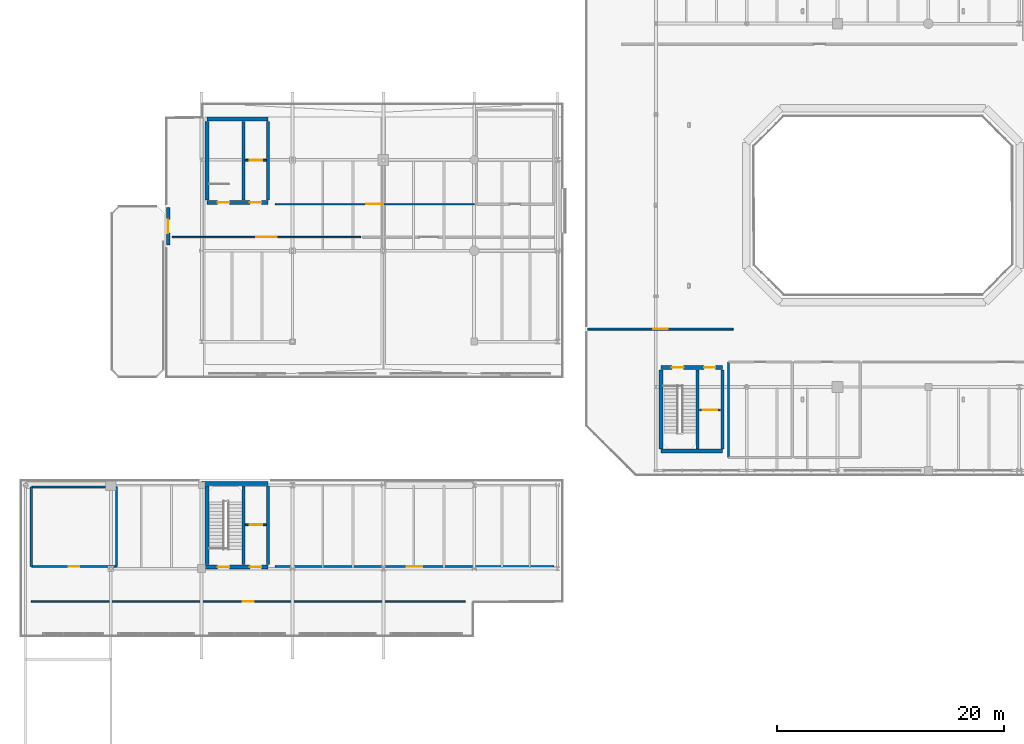
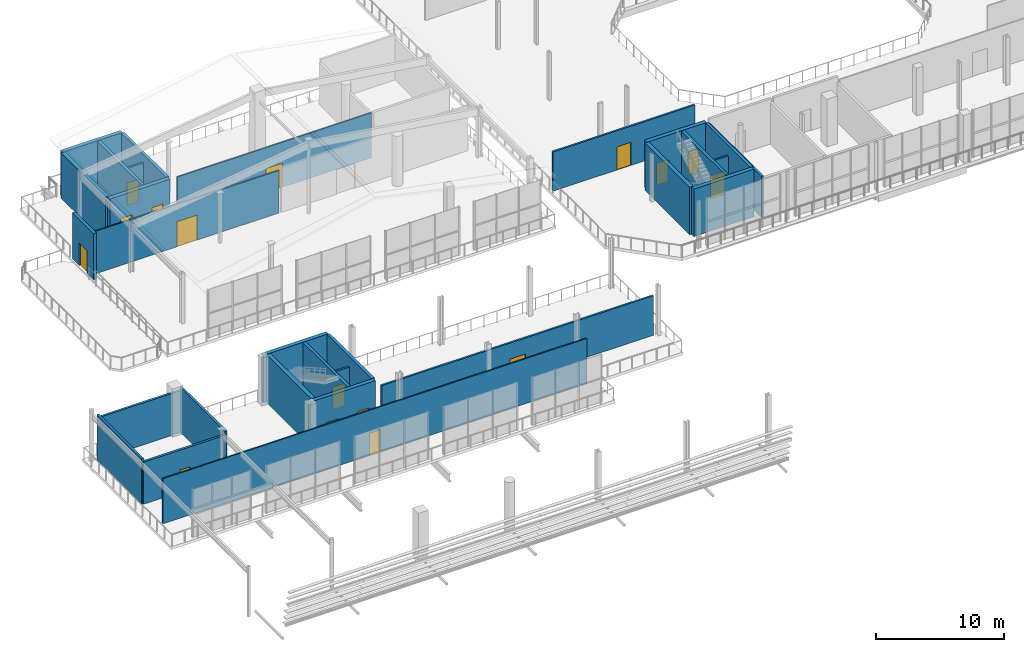
# One storey, part 48 of 70: 29 walls, 16 doors, 16 openings.
"""IFC4 building model written with IfcOpenShell, lengths in metres."""

from ifc_helpers import new_model, si_unit, direction, frame, frame_2d, origin, place, context, subcontext, project, spatial, rectangle, extrude, material, layer, layer_set, type_object, element, fill, save


model = new_model("IFC4")

# Units and contexts
model_context = context("Model", 3, precision=1e-05, world=origin(), true_north=direction((0.0, 1.0)))
body_context = subcontext(model_context, "Body", "Model", "MODEL_VIEW")
ifc_project = project(units=[si_unit("LENGTHUNIT", "METRE"), si_unit("AREAUNIT", "SQUARE_METRE"), si_unit("VOLUMEUNIT", "CUBIC_METRE"), si_unit("PLANEANGLEUNIT", "RADIAN"), si_unit("MASSUNIT", "GRAM", prefix="KILO")], contexts=[model_context])

# Site, building, storey
site_placement = place(None, origin())
site = spatial("IfcSite", under=ifc_project, at=site_placement, CompositionType="ELEMENT")
building_placement = place(site_placement, origin())
building = spatial("IfcBuilding", under=site, at=building_placement, Name="Brisemont Oceanarium", CompositionType="ELEMENT")
storey_placement = place(building_placement, frame((0.0, 0.0, 10.199951171875)))
storey = spatial("IfcBuildingStorey", under=building, at=storey_placement, Name="L02", CompositionType="ELEMENT", Elevation=10.199951171875)

# Wall, opening, door
ifc_material_1 = material(Name="Beaux-Arts Limestone Cladding Precast Concrete C40/50", Category="masonry")
ifc_layer_1 = layer(ifc_material_1, 0.280029296875)
ifc_layer_set_1 = layer_set([ifc_layer_1], Name="Beaux-Arts Limestone Cladding Precast Concrete C40/50")
wall_type_1 = type_object("IfcWallType", Name="EW-LIME-280", PredefinedType="STANDARD", material=ifc_layer_set_1)
wall_1_placement = place(storey_placement, frame((21.050048828125, 52.5, 0.0), z_axis=(0.0, 0.0, 1.0), x_axis=(0.0, 1.0, 0.0)))
wall_1 = element("IfcWall", 1, at=wall_1_placement, inside=storey, type_object=wall_type_1, Name="Beaux-Arts exterior wall EW-V5WTER-L02-1", PredefinedType="STANDARD", context=body_context, shape_type="SweptSolid", body=[
    extrude(rectangle(XDim=3.300048828125, YDim=0.280029296875, at=frame_2d((1.64990234375, 0.0))), origin(), (0.0, 0.0, 1.0), 4.400146484375),
])
opening_1_placement = place(wall_1_placement, frame((1.050048828125, 0.0, 0.0)))
opening_1 = element("IfcOpeningElement", 2, at=opening_1_placement, cuts=wall_1, Name="Opening ED-02", PredefinedType="OPENING", context=body_context, shape_type="SweptSolid", body=[
    extrude(rectangle(XDim=1.199951171875, YDim=2.14990234375, at=frame_2d((0.60009765625, 1.074951171875))), frame((0.0, 0.14990234375, 0.0), z_axis=(0.0, -1.0, 0.0), x_axis=(1.0, 0.0, 0.0)), (0.0, 0.0, 1.0), 0.300048828125),
])
ifc_material_2 = material(Name="Anodized Extruded Aluminum 6063-T6", Category="aluminium")
door_type_1 = type_object("IfcDoorType", Name="DR-TER-1200X2150", OperationType="NOTDEFINED", PredefinedType="DOOR", material=ifc_material_2)
door_1_placement = place(opening_1_placement, origin())
door_1 = element("IfcDoor", 3, at=door_1_placement, inside=storey, type_object=door_type_1, Name="ED-02 exterior entrance door 4", OperationType="SINGLE_SWING_RIGHT", OverallHeight=2.14990234375, OverallWidth=1.199951171875, PredefinedType="DOOR", context=body_context, shape_type="SweptSolid", body=[
    extrude(rectangle(XDim=1.199951171875, YDim=2.14990234375, at=frame_2d((0.60009765625, 1.074951171875))), frame((0.0, 0.02490234375, 0.0), z_axis=(0.0, -1.0, 0.0), x_axis=(1.0, 0.0, 0.0)), (0.0, 0.0, 1.0), 0.050048828125),
])
fill(opening_1, door_1)

ifc_material_3 = material(Name="Moisture-Resistant Gypsum Steel-Stud Partition", Category="steel")
ifc_layer_2 = layer(ifc_material_3, 0.159912109375)
ifc_layer_set_2 = layer_set([ifc_layer_2], Name="Moisture-Resistant Gypsum Steel-Stud Partition")
wall_type_2 = type_object("IfcWallType", Name="IW-FB-160", PredefinedType="PARTITIONING", material=ifc_layer_set_2)
wall_2_placement = place(storey_placement, frame((67.85009765625, 37.97998046875, 0.0), z_axis=(0.0, 0.0, 1.0), x_axis=(1.0, 0.0, 0.0)))
wall_2 = element("IfcWall", 4, at=wall_2_placement, inside=storey, type_object=wall_type_2, Name="Core C1 L02 lift hoistway front wall", PredefinedType="PARTITIONING", context=body_context, shape_type="SweptSolid", body=[
    extrude(rectangle(XDim=1.83984375, YDim=0.159912109375, at=frame_2d((0.919921875, 0.0))), origin(), (0.0, 0.0, 1.0), 3.60009765625),
])
opening_2_placement = place(wall_2_placement, frame((0.27001953125, 0.0, 0.0)))
opening_2 = element("IfcOpeningElement", 5, at=opening_2_placement, cuts=wall_2, Name="Opening LD-02", PredefinedType="OPENING", context=body_context, shape_type="SweptSolid", body=[
    extrude(rectangle(XDim=1.300048828125, YDim=2.199951171875, at=frame_2d((0.64990234375, 1.10009765625))), frame((0.0, 0.08984375, 0.0), z_axis=(0.0, -1.0, 0.0), x_axis=(1.0, 0.0, 0.0)), (0.0, 0.0, 1.0), 0.179931640625),
])
ifc_material_4 = material(Name="Duplex Stainless Steel EN 1.4462", Category="steel")
door_type_2 = type_object("IfcDoorType", Name="DR-LIFT-1300X2200", OperationType="NOTDEFINED", PredefinedType="DOOR", material=ifc_material_4)
door_2_placement = place(opening_2_placement, origin())
door_2 = element("IfcDoor", 6, at=door_2_placement, inside=storey, type_object=door_type_2, Name="Lift landing door LF-01 L02", OperationType="SLIDING_TO_LEFT", OverallHeight=2.199951171875, OverallWidth=1.300048828125, PredefinedType="DOOR", context=body_context, shape_type="SweptSolid", body=[
    extrude(rectangle(XDim=1.300048828125, YDim=2.199951171875, at=frame_2d((0.64990234375, 1.10009765625))), frame((0.0, 0.02490234375, 0.0), z_axis=(0.0, -1.0, 0.0), x_axis=(1.0, 0.0, 0.0)), (0.0, 0.0, 1.0), 0.050048828125),
])
fill(opening_2, door_2)

wall_3_placement = place(storey_placement, frame((27.85009765625, 27.8701171875, 0.0), z_axis=(0.0, 0.0, 1.0), x_axis=(1.0, 0.0, 0.0)))
wall_3 = element("IfcWall", 7, at=wall_3_placement, inside=storey, type_object=wall_type_2, Name="Core C3 L02 lift hoistway front wall", PredefinedType="PARTITIONING", context=body_context, shape_type="SweptSolid", body=[
    extrude(rectangle(XDim=1.83984375, YDim=0.159912109375, at=frame_2d((0.919921875, 0.0))), origin(), (0.0, 0.0, 1.0), 3.60009765625),
])
opening_3_placement = place(wall_3_placement, frame((0.3701171875, 0.0, 0.0)))
opening_3 = element("IfcOpeningElement", 8, at=opening_3_placement, cuts=wall_3, Name="Opening LD-01", PredefinedType="OPENING", context=body_context, shape_type="SweptSolid", body=[
    extrude(rectangle(XDim=1.10009765625, YDim=2.14990234375, at=frame_2d((0.550048828125, 1.074951171875))), frame((0.0, 0.08984375, 0.0), z_axis=(0.0, -1.0, 0.0), x_axis=(1.0, 0.0, 0.0)), (0.0, 0.0, 1.0), 0.179931640625),
])
ifc_material_5 = material(Name="Duplex Stainless Steel EN 1.4462", Category="steel")
door_type_3 = type_object("IfcDoorType", Name="DR-LIFT-1100X2150", OperationType="NOTDEFINED", PredefinedType="DOOR", material=ifc_material_5)
door_3_placement = place(opening_3_placement, origin())
door_3 = element("IfcDoor", 9, at=door_3_placement, inside=storey, type_object=door_type_3, Name="Lift landing door LF-03 L02", OperationType="SLIDING_TO_LEFT", OverallHeight=2.14990234375, OverallWidth=1.10009765625, PredefinedType="DOOR", context=body_context, shape_type="SweptSolid", body=[
    extrude(rectangle(XDim=1.10009765625, YDim=2.14990234375, at=frame_2d((0.550048828125, 1.074951171875))), frame((0.0, 0.02490234375, 0.0), z_axis=(0.0, -1.0, 0.0), x_axis=(1.0, 0.0, 0.0)), (0.0, 0.0, 1.0), 0.050048828125),
])
fill(opening_3, door_3)

wall_4_placement = place(storey_placement, frame((27.85009765625, 59.969970703125, 0.0), z_axis=(0.0, 0.0, 1.0), x_axis=(1.0, 0.0, 0.0)))
wall_4 = element("IfcWall", 10, at=wall_4_placement, inside=storey, type_object=wall_type_2, Name="Core C5 L02 lift hoistway front wall", PredefinedType="PARTITIONING", context=body_context, shape_type="SweptSolid", body=[
    extrude(rectangle(XDim=1.83984375, YDim=0.159912109375, at=frame_2d((0.919921875, 0.0))), origin(), (0.0, 0.0, 1.0), 3.60009765625),
])
opening_4_placement = place(wall_4_placement, frame((0.3701171875, 0.0, 0.0)))
opening_4 = element("IfcOpeningElement", 11, at=opening_4_placement, cuts=wall_4, Name="Opening LD-01", PredefinedType="OPENING", context=body_context, shape_type="SweptSolid", body=[
    extrude(rectangle(XDim=1.10009765625, YDim=2.14990234375, at=frame_2d((0.550048828125, 1.074951171875))), frame((0.0, 0.08984375, 0.0), z_axis=(0.0, -1.0, 0.0), x_axis=(1.0, 0.0, 0.0)), (0.0, 0.0, 1.0), 0.179931640625),
])
door_4_placement = place(opening_4_placement, origin())
door_4 = element("IfcDoor", 12, at=door_4_placement, inside=storey, type_object=door_type_3, Name="Lift landing door LF-05 L02", OperationType="SLIDING_TO_LEFT", OverallHeight=2.14990234375, OverallWidth=1.10009765625, PredefinedType="DOOR", context=body_context, shape_type="SweptSolid", body=[
    extrude(rectangle(XDim=1.10009765625, YDim=2.14990234375, at=frame_2d((0.550048828125, 1.074951171875))), frame((0.0, 0.02490234375, 0.0), z_axis=(0.0, -1.0, 0.0), x_axis=(1.0, 0.0, 0.0)), (0.0, 0.0, 1.0), 0.050048828125),
])
fill(opening_4, door_4)

wall_5_placement = place(storey_placement, frame((58.0, 45.10009765625, 0.0), z_axis=(0.0, 0.0, 1.0), x_axis=(1.0, 0.0, 0.0)))
wall_5 = element("IfcWall", 13, at=wall_5_placement, inside=storey, type_object=wall_type_2, Name="Ocean Tank Dive Locker and Crane Operations corridor partition", PredefinedType="PARTITIONING", context=body_context, shape_type="SweptSolid", body=[
    extrude(rectangle(XDim=12.800048828125, YDim=0.159912109375, at=frame_2d((6.39990234375, 0.0))), origin(), (0.0, 0.0, 1.0), 3.738037109375),
])
opening_5_placement = place(wall_5_placement, frame((5.77490234375, 0.0, 0.0)))
opening_5 = element("IfcOpeningElement", 14, at=opening_5_placement, cuts=wall_5, Name="Opening LB-02", PredefinedType="OPENING", context=body_context, shape_type="SweptSolid", body=[
    extrude(rectangle(XDim=1.25, YDim=2.199951171875, at=frame_2d((0.625, 1.10009765625))), frame((0.0, 0.08984375, 0.0), z_axis=(0.0, -1.0, 0.0), x_axis=(1.0, 0.0, 0.0)), (0.0, 0.0, 1.0), 0.179931640625),
])
ifc_material_6 = material(Name="Duplex Stainless Steel EN 1.4462", Category="steel")
door_type_4 = type_object("IfcDoorType", Name="DR-LAB-1250X2200", OperationType="NOTDEFINED", PredefinedType="DOOR", material=ifc_material_6)
door_5_placement = place(opening_5_placement, origin())
door_5 = element("IfcDoor", 15, at=door_5_placement, inside=storey, type_object=door_type_4, Name="LB-02 door to Ocean Tank Dive Locker and Crane Operations", OperationType="SINGLE_SWING_LEFT", OverallHeight=2.199951171875, OverallWidth=1.25, PredefinedType="DOOR", context=body_context, shape_type="SweptSolid", body=[
    extrude(rectangle(XDim=1.25, YDim=2.199951171875, at=frame_2d((0.625, 1.10009765625))), frame((0.0, 0.02490234375, 0.0), z_axis=(0.0, -1.0, 0.0), x_axis=(1.0, 0.0, 0.0)), (0.0, 0.0, 1.0), 0.050048828125),
])
fill(opening_5, door_5)

wall_6_placement = place(storey_placement, frame((30.5, 24.199951171875, 0.0), z_axis=(0.0, 0.0, 1.0), x_axis=(1.0, 0.0, 0.0)))
wall_6 = element("IfcWall", 16, at=wall_6_placement, inside=storey, type_object=wall_type_2, Name="Climate Ocean Observatory Exhibit Gallery corridor partition", PredefinedType="PARTITIONING", context=body_context, shape_type="SweptSolid", body=[
    extrude(rectangle(XDim=24.5, YDim=0.159912109375, at=frame_2d((12.25, 0.0))), origin(), (0.0, 0.0, 1.0), 3.778076171875),
])
opening_6_placement = place(wall_6_placement, frame((11.56005859375, 0.0, 0.0)))
opening_6 = element("IfcOpeningElement", 17, at=opening_6_placement, cuts=wall_6, Name="Opening PD-01", PredefinedType="OPENING", context=body_context, shape_type="SweptSolid", body=[
    extrude(rectangle(XDim=1.3798828125, YDim=2.25, at=frame_2d((0.68994140625, 1.125))), frame((0.0, 0.08984375, 0.0), z_axis=(0.0, -1.0, 0.0), x_axis=(1.0, 0.0, 0.0)), (0.0, 0.0, 1.0), 0.179931640625),
])
ifc_material_7 = material(Name="Duplex Stainless Steel EN 1.4462", Category="steel")
door_type_5 = type_object("IfcDoorType", Name="DR-PLT-1380X2250", OperationType="NOTDEFINED", PredefinedType="DOOR", material=ifc_material_7)
door_6_placement = place(opening_6_placement, origin())
door_6 = element("IfcDoor", 18, at=door_6_placement, inside=storey, type_object=door_type_5, Name="PD-01 door to Climate Ocean Observatory Exhibit Gallery", OperationType="SINGLE_SWING_LEFT", OverallHeight=2.25, OverallWidth=1.3798828125, PredefinedType="DOOR", context=body_context, shape_type="SweptSolid", body=[
    extrude(rectangle(XDim=1.3798828125, YDim=2.25, at=frame_2d((0.68994140625, 1.125))), frame((0.0, 0.02490234375, 0.0), z_axis=(0.0, -1.0, 0.0), x_axis=(1.0, 0.0, 0.0)), (0.0, 0.0, 1.0), 0.050048828125),
])
fill(opening_6, door_6)

ifc_material_8 = material(Name="Moisture-Resistant Gypsum Steel-Stud Partition", Category="steel")
ifc_layer_3 = layer(ifc_material_8, 0.1201171875)
ifc_layer_set_3 = layer_set([ifc_layer_3], Name="Moisture-Resistant Gypsum Steel-Stud Partition")
wall_type_3 = type_object("IfcWallType", Name="IW-PART-120", PredefinedType="PARTITIONING", material=ifc_layer_set_3)
wall_7_placement = place(storey_placement, frame((9.0, 21.10009765625, 0.0), z_axis=(0.0, 0.0, 1.0), x_axis=(1.0, 0.0, 0.0)))
wall_7 = element("IfcWall", 19, at=wall_7_placement, inside=storey, type_object=wall_type_3, Name="Whale Song Bioacoustics Exhibit Gallery corridor partition", PredefinedType="PARTITIONING", context=body_context, shape_type="SweptSolid", body=[
    extrude(rectangle(XDim=38.199951171875, YDim=0.1201171875, at=frame_2d((19.10009765625, 0.0))), origin(), (0.0, 0.0, 1.0), 4.2900390625),
])
opening_7_placement = place(wall_7_placement, frame((18.6201171875, 0.0, 0.0)))
opening_7 = element("IfcOpeningElement", 20, at=opening_7_placement, cuts=wall_7, Name="Opening D-02", PredefinedType="OPENING", context=body_context, shape_type="SweptSolid", body=[
    extrude(rectangle(XDim=0.9599609375, YDim=2.10009765625, at=frame_2d((0.47998046875, 1.050048828125))), frame((0.0, 0.070068359375, 0.0), z_axis=(0.0, -1.0, 0.0), x_axis=(1.0, 0.0, 0.0)), (0.0, 0.0, 1.0), 0.14013671875),
])
ifc_material_9 = material(Name="FSC White Oak Solid-Core Fire Door")
door_type_6 = type_object("IfcDoorType", Name="DR-RM-960X2100", OperationType="NOTDEFINED", PredefinedType="DOOR", material=ifc_material_9)
door_7_placement = place(opening_7_placement, origin())
door_7 = element("IfcDoor", 21, at=door_7_placement, inside=storey, type_object=door_type_6, Name="D-02 door to Whale Song Bioacoustics Exhibit Gallery", OperationType="SINGLE_SWING_RIGHT", OverallHeight=2.10009765625, OverallWidth=0.9599609375, PredefinedType="DOOR", context=body_context, shape_type="SweptSolid", body=[
    extrude(rectangle(XDim=0.9599609375, YDim=2.10009765625, at=frame_2d((0.47998046875, 1.050048828125))), frame((0.0, 0.02490234375, 0.0), z_axis=(0.0, -1.0, 0.0), x_axis=(1.0, 0.0, 0.0)), (0.0, 0.0, 1.0), 0.050048828125),
])
fill(opening_7, door_7)

wall_8_placement = place(storey_placement, frame((21.39990234375, 53.199951171875, 0.0), z_axis=(0.0, 0.0, 1.0), x_axis=(1.0, 0.0, 0.0)))
wall_8 = element("IfcWall", 22, at=wall_8_placement, inside=storey, type_object=wall_type_3, Name="Hydrothermal Vent Exhibit Gallery corridor partition", PredefinedType="PARTITIONING", context=body_context, shape_type="SweptSolid", body=[
    extrude(rectangle(XDim=16.60009765625, YDim=0.1201171875, at=frame_2d((8.300048828125, 0.0))), origin(), (0.0, 0.0, 1.0), 4.047119140625),
])
opening_8_placement = place(wall_8_placement, frame((7.39990234375, 0.0, 0.0)))
opening_8 = element("IfcOpeningElement", 23, at=opening_8_placement, cuts=wall_8, Name="Opening GD-01", PredefinedType="OPENING", context=body_context, shape_type="SweptSolid", body=[
    extrude(rectangle(XDim=1.800048828125, YDim=2.39990234375, at=frame_2d((0.89990234375, 1.199951171875))), frame((0.0, 0.070068359375, 0.0), z_axis=(0.0, -1.0, 0.0), x_axis=(1.0, 0.0, 0.0)), (0.0, 0.0, 1.0), 0.14013671875),
])
ifc_material_10 = material(Name="Patinated Architectural Bronze C38500")
door_type_7 = type_object("IfcDoorType", Name="DR-GAL-1800X2400", OperationType="NOTDEFINED", PredefinedType="DOOR", material=ifc_material_10)
door_8_placement = place(opening_8_placement, origin())
door_8 = element("IfcDoor", 24, at=door_8_placement, inside=storey, type_object=door_type_7, Name="GD-01 door to Hydrothermal Vent Exhibit Gallery", OperationType="SINGLE_SWING_LEFT", OverallHeight=2.39990234375, OverallWidth=1.800048828125, PredefinedType="DOOR", context=body_context, shape_type="SweptSolid", body=[
    extrude(rectangle(XDim=1.800048828125, YDim=2.39990234375, at=frame_2d((0.89990234375, 1.199951171875))), frame((0.0, 0.02490234375, 0.0), z_axis=(0.0, -1.0, 0.0), x_axis=(1.0, 0.0, 0.0)), (0.0, 0.0, 1.0), 0.050048828125),
])
fill(opening_8, door_8)

wall_9_placement = place(storey_placement, frame((30.5, 56.10009765625, 0.0), z_axis=(0.0, 0.0, 1.0), x_axis=(1.0, 0.0, 0.0)))
wall_9 = element("IfcWall", 25, at=wall_9_placement, inside=storey, type_object=wall_type_3, Name="Bioluminescent Comb Jelly Exhibit Gallery corridor partition", PredefinedType="PARTITIONING", context=body_context, shape_type="SweptSolid", body=[
    extrude(rectangle(XDim=17.5, YDim=0.1201171875, at=frame_2d((8.75, 0.0))), origin(), (0.0, 0.0, 1.0), 4.2900390625),
])
opening_9_placement = place(wall_9_placement, frame((8.0, 0.0, 0.0)))
opening_9 = element("IfcOpeningElement", 26, at=opening_9_placement, cuts=wall_9, Name="Opening GD-03", PredefinedType="OPENING", context=body_context, shape_type="SweptSolid", body=[
    extrude(rectangle(XDim=1.5, YDim=2.300048828125, at=frame_2d((0.75, 1.14990234375))), frame((0.0, 0.070068359375, 0.0), z_axis=(0.0, -1.0, 0.0), x_axis=(1.0, 0.0, 0.0)), (0.0, 0.0, 1.0), 0.14013671875),
])
ifc_material_11 = material(Name="Patinated Architectural Bronze C38500")
door_type_8 = type_object("IfcDoorType", Name="DR-GAL-1500X2300", OperationType="NOTDEFINED", PredefinedType="DOOR", material=ifc_material_11)
door_9_placement = place(opening_9_placement, origin())
door_9 = element("IfcDoor", 27, at=door_9_placement, inside=storey, type_object=door_type_8, Name="GD-03 door to Bioluminescent Comb Jelly Exhibit Gallery", OperationType="SINGLE_SWING_LEFT", OverallHeight=2.300048828125, OverallWidth=1.5, PredefinedType="DOOR", context=body_context, shape_type="SweptSolid", body=[
    extrude(rectangle(XDim=1.5, YDim=2.300048828125, at=frame_2d((0.75, 1.14990234375))), frame((0.0, 0.02490234375, 0.0), z_axis=(0.0, -1.0, 0.0), x_axis=(1.0, 0.0, 0.0)), (0.0, 0.0, 1.0), 0.050048828125),
])
fill(opening_9, door_9)

# Wall
ifc_material_12 = material(Name="Cementitious Tile-Backer Plumbing Wall")
ifc_layer_4 = layer(ifc_material_12, 0.199951171875)
ifc_layer_set_4 = layer_set([ifc_layer_4], Name="Cementitious Tile-Backer Plumbing Wall")
wall_type_4 = type_object("IfcWallType", Name="IW-PLUMB-200", PredefinedType="PLUMBINGWALL", material=ifc_layer_set_4)
wall_10_placement = place(storey_placement, frame((70.39990234375, 33.800048828125, 0.0), z_axis=(0.0, 0.0, 1.0), x_axis=(0.0, 1.0, 0.0)))
element("IfcWall", 28, at=wall_10_placement, inside=storey, type_object=wall_type_4, Name="Accessible WC enclosure wall W", PredefinedType="PLUMBINGWALL", context=body_context, shape_type="SweptSolid", body=[
    extrude(rectangle(XDim=8.39990234375, YDim=0.199951171875, at=frame_2d((4.199951171875, 0.0))), origin(), (0.0, 0.0, 1.0), 3.89794921875),
])

# Wall, opening, door
wall_11_placement = place(storey_placement, frame((9.0, 24.199951171875, 0.0), z_axis=(0.0, 0.0, 1.0), x_axis=(1.0, 0.0, 0.0)))
wall_11 = element("IfcWall", 29, at=wall_11_placement, inside=storey, type_object=wall_type_4, Name="Accessible WC corridor partition", PredefinedType="PLUMBINGWALL", context=body_context, shape_type="SweptSolid", body=[
    extrude(rectangle(XDim=7.5, YDim=0.199951171875, at=frame_2d((3.75, 0.0))), origin(), (0.0, 0.0, 1.0), 4.007080078125),
])
opening_10_placement = place(wall_11_placement, frame((3.294921875, 0.0, 0.0)))
opening_10 = element("IfcOpeningElement", 30, at=opening_10_placement, cuts=wall_11, Name="Opening D-03", PredefinedType="OPENING", context=body_context, shape_type="SweptSolid", body=[
    extrude(rectangle(XDim=0.909912109375, YDim=2.10009765625, at=frame_2d((0.455078125, 1.050048828125))), frame((0.0, 0.10986328125, 0.0), z_axis=(0.0, -1.0, 0.0), x_axis=(1.0, 0.0, 0.0)), (0.0, 0.0, 1.0), 0.219970703125),
])
ifc_material_13 = material(Name="FSC White Oak Solid-Core Fire Door")
door_type_9 = type_object("IfcDoorType", Name="DR-WC-910X2100", OperationType="NOTDEFINED", PredefinedType="DOOR", material=ifc_material_13)
door_10_placement = place(opening_10_placement, origin())
door_10 = element("IfcDoor", 31, at=door_10_placement, inside=storey, type_object=door_type_9, Name="D-03 door to Accessible WC", OperationType="SINGLE_SWING_RIGHT", OverallHeight=2.10009765625, OverallWidth=0.909912109375, PredefinedType="DOOR", context=body_context, shape_type="SweptSolid", body=[
    extrude(rectangle(XDim=0.909912109375, YDim=2.10009765625, at=frame_2d((0.455078125, 1.050048828125))), frame((0.0, 0.02490234375, 0.0), z_axis=(0.0, -1.0, 0.0), x_axis=(1.0, 0.0, 0.0)), (0.0, 0.0, 1.0), 0.050048828125),
])
fill(opening_10, door_10)

# Walls
wall_12_placement = place(storey_placement, frame((9.0, 31.199951171875, 0.0), z_axis=(0.0, 0.0, 1.0), x_axis=(1.0, 0.0, 0.0)))
element("IfcWall", 32, at=wall_12_placement, inside=storey, type_object=wall_type_4, Name="Accessible WC enclosure wall N", PredefinedType="PLUMBINGWALL", context=body_context, shape_type="SweptSolid", body=[
    extrude(rectangle(XDim=7.5, YDim=0.199951171875, at=frame_2d((3.75, 0.0))), origin(), (0.0, 0.0, 1.0), 4.011962890625),
])
for number, where, z_axis, x_axis, name in (
    (33, (9.0, 24.199951171875, 0.0), (0.0, 0.0, 1.0), (0.0, 1.0, 0.0), "Accessible WC enclosure wall W"),
    (34, (16.5, 24.199951171875, 0.0), (0.0, 0.0, 1.0), (0.0, 1.0, 0.0), "Accessible WC enclosure wall E"),
):
    element("IfcWall", number, at=place(storey_placement, frame(where, z_axis=z_axis, x_axis=x_axis)), inside=storey, type_object=wall_type_4, Name=name, PredefinedType="PLUMBINGWALL", context=body_context, shape_type="SweptSolid", body=[
        extrude(rectangle(XDim=7.0, YDim=0.199951171875, at=frame_2d((3.5, 0.0))), origin(), (0.0, 0.0, 1.0), 4.2900390625),
    ])
ifc_material_14 = material(Name="Concrete C40/50", Category="concrete")
ifc_layer_5 = layer(ifc_material_14, 0.260009765625)
ifc_layer_set_5 = layer_set([ifc_layer_5], Name="Concrete C40/50")
wall_type_5 = type_object("IfcWallType", Name="SW-SHAFT-260", PredefinedType="SHEAR", material=ifc_layer_set_5)
for number, where, z_axis, x_axis, name in (
    (35, (69.85009765625, 34.550048828125, 0.0), (0.0, 0.0, 1.0), (0.0, 1.0, 0.0), "Core C1 L02 E RC shear wall"),
    (36, (67.669921875, 34.550048828125, 0.0), (0.0, 0.0, 1.0), (0.0, 1.0, 0.0), "Core C1 L02 MID RC shear wall"),
):
    element("IfcWall", number, at=place(storey_placement, frame(where, z_axis=z_axis, x_axis=x_axis)), inside=storey, type_object=wall_type_5, Name=name, PredefinedType="SHEAR", context=body_context, shape_type="SweptSolid", body=[
        extrude(rectangle(XDim=6.949951171875, YDim=0.260009765625, at=frame_2d((3.47509765625, 0.0))), origin(), (0.0, 0.0, 1.0), 4.530029296875),
    ])
for number, where, z_axis, x_axis, name in (
    (37, (29.85009765625, 24.35009765625, 0.0), (0.0, 0.0, 1.0), (0.0, 1.0, 0.0), "Core C3 L02 E RC shear wall"),
    (38, (27.669921875, 24.35009765625, 0.0), (0.0, 0.0, 1.0), (0.0, 1.0, 0.0), "Core C3 L02 MID RC shear wall"),
):
    element("IfcWall", number, at=place(storey_placement, frame(where, z_axis=z_axis, x_axis=x_axis)), inside=storey, type_object=wall_type_5, Name=name, PredefinedType="SHEAR", context=body_context, shape_type="SweptSolid", body=[
        extrude(rectangle(XDim=6.949951171875, YDim=0.260009765625, at=frame_2d((3.47509765625, 0.0))), origin(), (0.0, 0.0, 1.0), 4.570068359375),
    ])
for number, where, z_axis, x_axis, name in (
    (39, (29.85009765625, 56.449951171875, 0.0), (0.0, 0.0, 1.0), (0.0, 1.0, 0.0), "Core C5 L02 E RC shear wall"),
    (40, (27.669921875, 56.449951171875, 0.0), (0.0, 0.0, 1.0), (0.0, 1.0, 0.0), "Core C5 L02 MID RC shear wall"),
):
    element("IfcWall", number, at=place(storey_placement, frame(where, z_axis=z_axis, x_axis=x_axis)), inside=storey, type_object=wall_type_5, Name=name, PredefinedType="SHEAR", context=body_context, shape_type="SweptSolid", body=[
        extrude(rectangle(XDim=6.949951171875, YDim=0.260009765625, at=frame_2d((3.47509765625, 0.0))), origin(), (0.0, 0.0, 1.0), 4.300048828125),
    ])

# Wall, openings, doors
ifc_material_15 = material(Name="Concrete C40/50", Category="concrete")
ifc_layer_6 = layer(ifc_material_15, 0.35009765625)
ifc_layer_set_6 = layer_set([ifc_layer_6], Name="Concrete C40/50")
wall_type_6 = type_object("IfcWallType", Name="SW-STAIR-350", PredefinedType="SHEAR", material=ifc_layer_set_6)
wall_13_placement = place(storey_placement, frame((64.449951171875, 41.699951171875, 0.0), z_axis=(0.0, 0.0, 1.0), x_axis=(1.0, 0.0, 0.0)))
wall_13 = element("IfcWall", 41, at=wall_13_placement, inside=storey, type_object=wall_type_6, Name="Core C1 L02 corridor RC shear wall", PredefinedType="SHEAR", context=body_context, shape_type="SweptSolid", body=[
    extrude(rectangle(XDim=5.400146484375, YDim=0.35009765625, at=frame_2d((2.7001953125, 0.0))), origin(), (0.0, 0.0, 1.0), 4.530029296875),
])
opening_11_placement = place(wall_13_placement, frame((0.949951171875, 0.0, 0.0)))
opening_11 = element("IfcOpeningElement", 42, at=opening_11_placement, cuts=wall_13, Name="Opening SD-02", PredefinedType="OPENING", context=body_context, shape_type="SweptSolid", body=[
    extrude(rectangle(XDim=1.050048828125, YDim=2.10009765625, at=frame_2d((0.52490234375, 1.050048828125))), frame((0.0, 0.18505859375, 0.0), z_axis=(0.0, -1.0, 0.0), x_axis=(1.0, 0.0, 0.0)), (0.0, 0.0, 1.0), 0.3701171875),
])
opening_12_placement = place(wall_13_placement, frame((3.800048828125, 0.0, 0.0)))
opening_12 = element("IfcOpeningElement", 43, at=opening_12_placement, cuts=wall_13, Name="Opening FD90-2", PredefinedType="OPENING", context=body_context, shape_type="SweptSolid", body=[
    extrude(rectangle(XDim=1.0, YDim=2.14990234375, at=frame_2d((0.5, 1.074951171875))), frame((0.0, 0.18505859375, 0.0), z_axis=(0.0, -1.0, 0.0), x_axis=(1.0, 0.0, 0.0)), (0.0, 0.0, 1.0), 0.3701171875),
])
ifc_material_16 = material(Name="FSC White Oak Solid-Core Fire Door")
door_type_10 = type_object("IfcDoorType", Name="DR-LOB-1000X2150", OperationType="NOTDEFINED", PredefinedType="DOOR", material=ifc_material_16)
door_11_placement = place(opening_12_placement, origin())
door_11 = element("IfcDoor", 44, at=door_11_placement, inside=storey, type_object=door_type_10, Name="Lift lobby door C1 L02", OperationType="SINGLE_SWING_RIGHT", OverallHeight=2.14990234375, OverallWidth=1.0, PredefinedType="DOOR", context=body_context, shape_type="SweptSolid", body=[
    extrude(rectangle(XDim=1.0, YDim=2.14990234375, at=frame_2d((0.5, 1.074951171875))), frame((0.0, 0.02490234375, 0.0), z_axis=(0.0, -1.0, 0.0), x_axis=(1.0, 0.0, 0.0)), (0.0, 0.0, 1.0), 0.050048828125),
])
fill(opening_12, door_11)
ifc_material_17 = material(Name="Duplex Stainless Steel EN 1.4462", Category="steel")
door_type_11 = type_object("IfcDoorType", Name="DR-STAIR-1050X2100", OperationType="NOTDEFINED", PredefinedType="DOOR", material=ifc_material_17)
door_12_placement = place(opening_11_placement, origin())
door_12 = element("IfcDoor", 45, at=door_12_placement, inside=storey, type_object=door_type_11, Name="Exit stair door ST-01 L02", OperationType="SINGLE_SWING_LEFT", OverallHeight=2.10009765625, OverallWidth=1.050048828125, PredefinedType="DOOR", context=body_context, shape_type="SweptSolid", body=[
    extrude(rectangle(XDim=1.050048828125, YDim=2.10009765625, at=frame_2d((0.52490234375, 1.050048828125))), frame((0.0, 0.02490234375, 0.0), z_axis=(0.0, -1.0, 0.0), x_axis=(1.0, 0.0, 0.0)), (0.0, 0.0, 1.0), 0.050048828125),
])
fill(opening_11, door_12)

# Walls
wall_14_placement = place(storey_placement, frame((64.449951171875, 34.35009765625, 0.0), z_axis=(0.0, 0.0, 1.0), x_axis=(1.0, 0.0, 0.0)))
element("IfcWall", 46, at=wall_14_placement, inside=storey, type_object=wall_type_6, Name="Core C1 L02 BCK RC shear wall", PredefinedType="SHEAR", context=body_context, shape_type="SweptSolid", body=[
    extrude(rectangle(XDim=5.400146484375, YDim=0.35009765625, at=frame_2d((2.7001953125, 0.0))), origin(), (0.0, 0.0, 1.0), 4.530029296875),
])
wall_15_placement = place(storey_placement, frame((64.449951171875, 34.550048828125, 0.0), z_axis=(0.0, 0.0, 1.0), x_axis=(0.0, 1.0, 0.0)))
element("IfcWall", 47, at=wall_15_placement, inside=storey, type_object=wall_type_6, Name="Core C1 L02 W RC shear wall", PredefinedType="SHEAR", context=body_context, shape_type="SweptSolid", body=[
    extrude(rectangle(XDim=6.949951171875, YDim=0.35009765625, at=frame_2d((3.47509765625, 0.0))), origin(), (0.0, 0.0, 1.0), 4.530029296875),
])

# Wall, openings, doors
wall_16_placement = place(storey_placement, frame((24.0, 24.14990234375, 0.0), z_axis=(0.0, 0.0, 1.0), x_axis=(1.0, 0.0, 0.0)))
wall_16 = element("IfcWall", 48, at=wall_16_placement, inside=storey, type_object=wall_type_6, Name="Core C3 L02 corridor RC shear wall", PredefinedType="SHEAR", context=body_context, shape_type="SweptSolid", body=[
    extrude(rectangle(XDim=5.85009765625, YDim=0.35009765625, at=frame_2d((2.925048828125, 0.0))), origin(), (0.0, 0.0, 1.0), 4.570068359375),
])
opening_13_placement = place(wall_16_placement, frame((1.39990234375, 0.0, 0.0)))
opening_13 = element("IfcOpeningElement", 49, at=opening_13_placement, cuts=wall_16, Name="Opening SD-02", PredefinedType="OPENING", context=body_context, shape_type="SweptSolid", body=[
    extrude(rectangle(XDim=1.050048828125, YDim=2.10009765625, at=frame_2d((0.52490234375, 1.050048828125))), frame((0.0, 0.18505859375, 0.0), z_axis=(0.0, -1.0, 0.0), x_axis=(1.0, 0.0, 0.0)), (0.0, 0.0, 1.0), 0.3701171875),
])
opening_14_placement = place(wall_16_placement, frame((4.25, 0.0, 0.0)))
opening_14 = element("IfcOpeningElement", 50, at=opening_14_placement, cuts=wall_16, Name="Opening FD90-2", PredefinedType="OPENING", context=body_context, shape_type="SweptSolid", body=[
    extrude(rectangle(XDim=1.0, YDim=2.14990234375, at=frame_2d((0.5, 1.074951171875))), frame((0.0, 0.18505859375, 0.0), z_axis=(0.0, -1.0, 0.0), x_axis=(1.0, 0.0, 0.0)), (0.0, 0.0, 1.0), 0.3701171875),
])
door_13_placement = place(opening_14_placement, origin())
door_13 = element("IfcDoor", 51, at=door_13_placement, inside=storey, type_object=door_type_10, Name="Lift lobby door C3 L02", OperationType="SINGLE_SWING_LEFT", OverallHeight=2.14990234375, OverallWidth=1.0, PredefinedType="DOOR", context=body_context, shape_type="SweptSolid", body=[
    extrude(rectangle(XDim=1.0, YDim=2.14990234375, at=frame_2d((0.5, 1.074951171875))), frame((0.0, 0.02490234375, 0.0), z_axis=(0.0, -1.0, 0.0), x_axis=(1.0, 0.0, 0.0)), (0.0, 0.0, 1.0), 0.050048828125),
])
fill(opening_14, door_13)
door_14_placement = place(opening_13_placement, origin())
door_14 = element("IfcDoor", 52, at=door_14_placement, inside=storey, type_object=door_type_11, Name="Exit stair door ST-03 L02", OperationType="SINGLE_SWING_RIGHT", OverallHeight=2.10009765625, OverallWidth=1.050048828125, PredefinedType="DOOR", context=body_context, shape_type="SweptSolid", body=[
    extrude(rectangle(XDim=1.050048828125, YDim=2.10009765625, at=frame_2d((0.52490234375, 1.050048828125))), frame((0.0, 0.02490234375, 0.0), z_axis=(0.0, -1.0, 0.0), x_axis=(1.0, 0.0, 0.0)), (0.0, 0.0, 1.0), 0.050048828125),
])
fill(opening_13, door_14)

# Walls
wall_17_placement = place(storey_placement, frame((24.0, 31.5, 0.0), z_axis=(0.0, 0.0, 1.0), x_axis=(1.0, 0.0, 0.0)))
element("IfcWall", 53, at=wall_17_placement, inside=storey, type_object=wall_type_6, Name="Core C3 L02 BCK RC shear wall", PredefinedType="SHEAR", context=body_context, shape_type="SweptSolid", body=[
    extrude(rectangle(XDim=5.85009765625, YDim=0.35009765625, at=frame_2d((2.925048828125, 0.0))), origin(), (0.0, 0.0, 1.0), 4.570068359375),
])
wall_18_placement = place(storey_placement, frame((24.449951171875, 24.35009765625, 0.0), z_axis=(0.0, 0.0, 1.0), x_axis=(0.0, 1.0, 0.0)))
element("IfcWall", 54, at=wall_18_placement, inside=storey, type_object=wall_type_6, Name="Core C3 L02 W RC shear wall", PredefinedType="SHEAR", context=body_context, shape_type="SweptSolid", body=[
    extrude(rectangle(XDim=6.949951171875, YDim=0.35009765625, at=frame_2d((3.47509765625, 0.0))), origin(), (0.0, 0.0, 1.0), 4.570068359375),
])

# Wall, openings, doors
wall_19_placement = place(storey_placement, frame((24.449951171875, 56.25, 0.0), z_axis=(0.0, 0.0, 1.0), x_axis=(1.0, 0.0, 0.0)))
wall_19 = element("IfcWall", 55, at=wall_19_placement, inside=storey, type_object=wall_type_6, Name="Core C5 L02 corridor RC shear wall", PredefinedType="SHEAR", context=body_context, shape_type="SweptSolid", body=[
    extrude(rectangle(XDim=5.400146484375, YDim=0.35009765625, at=frame_2d((2.7001953125, 0.0))), origin(), (0.0, 0.0, 1.0), 4.300048828125),
])
opening_15_placement = place(wall_19_placement, frame((0.949951171875, 0.0, 0.0)))
opening_15 = element("IfcOpeningElement", 56, at=opening_15_placement, cuts=wall_19, Name="Opening SD-02", PredefinedType="OPENING", context=body_context, shape_type="SweptSolid", body=[
    extrude(rectangle(XDim=1.050048828125, YDim=2.10009765625, at=frame_2d((0.52490234375, 1.050048828125))), frame((0.0, 0.18505859375, 0.0), z_axis=(0.0, -1.0, 0.0), x_axis=(1.0, 0.0, 0.0)), (0.0, 0.0, 1.0), 0.3701171875),
])
opening_16_placement = place(wall_19_placement, frame((3.800048828125, 0.0, 0.0)))
opening_16 = element("IfcOpeningElement", 57, at=opening_16_placement, cuts=wall_19, Name="Opening FD90-2", PredefinedType="OPENING", context=body_context, shape_type="SweptSolid", body=[
    extrude(rectangle(XDim=1.0, YDim=2.14990234375, at=frame_2d((0.5, 1.074951171875))), frame((0.0, 0.18505859375, 0.0), z_axis=(0.0, -1.0, 0.0), x_axis=(1.0, 0.0, 0.0)), (0.0, 0.0, 1.0), 0.3701171875),
])
door_15_placement = place(opening_16_placement, origin())
door_15 = element("IfcDoor", 58, at=door_15_placement, inside=storey, type_object=door_type_10, Name="Lift lobby door C5 L02", OperationType="SINGLE_SWING_LEFT", OverallHeight=2.14990234375, OverallWidth=1.0, PredefinedType="DOOR", context=body_context, shape_type="SweptSolid", body=[
    extrude(rectangle(XDim=1.0, YDim=2.14990234375, at=frame_2d((0.5, 1.074951171875))), frame((0.0, 0.02490234375, 0.0), z_axis=(0.0, -1.0, 0.0), x_axis=(1.0, 0.0, 0.0)), (0.0, 0.0, 1.0), 0.050048828125),
])
fill(opening_16, door_15)
door_16_placement = place(opening_15_placement, origin())
door_16 = element("IfcDoor", 59, at=door_16_placement, inside=storey, type_object=door_type_11, Name="Exit stair door ST-05 L02", OperationType="SINGLE_SWING_RIGHT", OverallHeight=2.10009765625, OverallWidth=1.050048828125, PredefinedType="DOOR", context=body_context, shape_type="SweptSolid", body=[
    extrude(rectangle(XDim=1.050048828125, YDim=2.10009765625, at=frame_2d((0.52490234375, 1.050048828125))), frame((0.0, 0.02490234375, 0.0), z_axis=(0.0, -1.0, 0.0), x_axis=(1.0, 0.0, 0.0)), (0.0, 0.0, 1.0), 0.050048828125),
])
fill(opening_15, door_16)

# Walls
wall_20_placement = place(storey_placement, frame((24.449951171875, 63.60009765625, 0.0), z_axis=(0.0, 0.0, 1.0), x_axis=(1.0, 0.0, 0.0)))
element("IfcWall", 60, at=wall_20_placement, inside=storey, type_object=wall_type_6, Name="Core C5 L02 BCK RC shear wall", PredefinedType="SHEAR", context=body_context, shape_type="SweptSolid", body=[
    extrude(rectangle(XDim=5.400146484375, YDim=0.35009765625, at=frame_2d((2.7001953125, 0.0))), origin(), (0.0, 0.0, 1.0), 4.300048828125),
])
wall_21_placement = place(storey_placement, frame((24.449951171875, 56.449951171875, 0.0), z_axis=(0.0, 0.0, 1.0), x_axis=(0.0, 1.0, 0.0)))
element("IfcWall", 61, at=wall_21_placement, inside=storey, type_object=wall_type_6, Name="Core C5 L02 W RC shear wall", PredefinedType="SHEAR", context=body_context, shape_type="SweptSolid", body=[
    extrude(rectangle(XDim=6.949951171875, YDim=0.35009765625, at=frame_2d((3.47509765625, 0.0))), origin(), (0.0, 0.0, 1.0), 4.300048828125),
])

save(model, "model.ifc")
